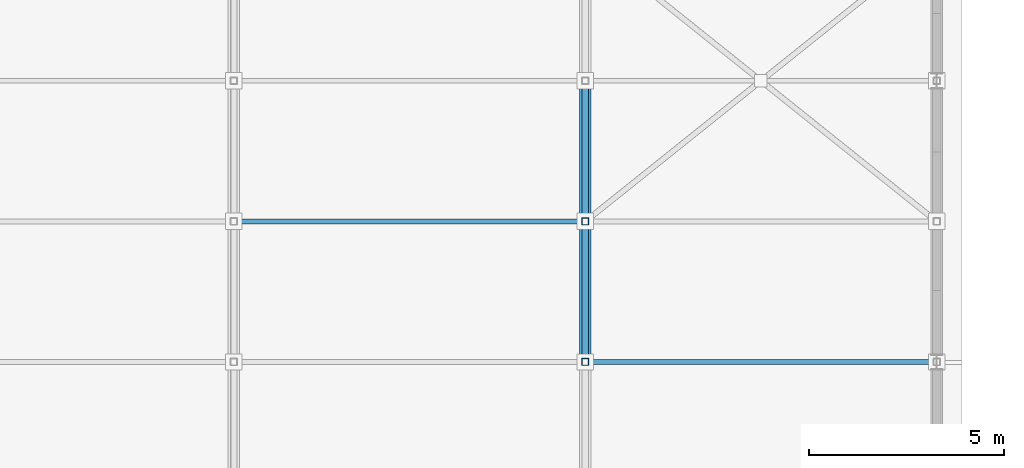
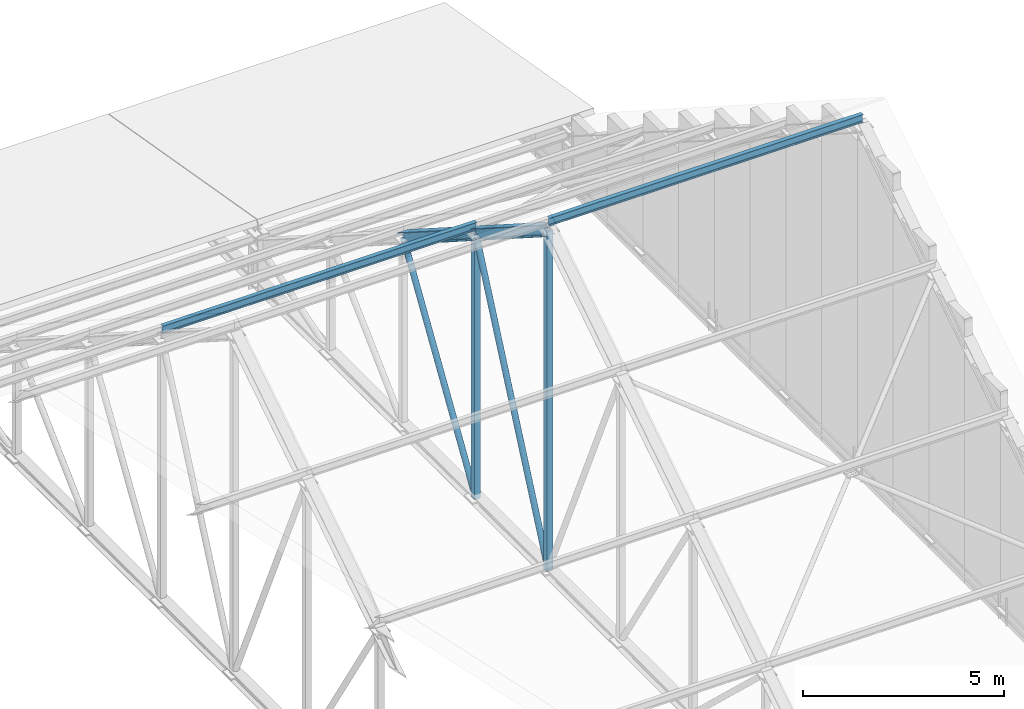
# One storey, part 117 of 182: 8 members.
"""IFC4 building model written with IfcOpenShell, lengths in metres."""

from ifc_helpers import new_model, si_unit, direction, frame, origin, origin_2d, place, context, subcontext, project, spatial, hollow_rectangle, hollow_circle, i_section, extrude, material, material_profile, profile_set, type_object, element, save


model = new_model("IFC4")

# Units and contexts
model_context = context("Model", 3, precision=1e-05, world=origin(), true_north=direction((0.0, 1.0)))
body_context = subcontext(model_context, "Body", "Model", "MODEL_VIEW")
ifc_project = project(units=[si_unit("LENGTHUNIT", "METRE"), si_unit("AREAUNIT", "SQUARE_METRE"), si_unit("VOLUMEUNIT", "CUBIC_METRE"), si_unit("PLANEANGLEUNIT", "RADIAN"), si_unit("MASSUNIT", "GRAM", prefix="KILO")], contexts=[model_context])

# Site, building, storey
site_placement = place(None, origin())
site = spatial("IfcSite", under=ifc_project, at=site_placement, CompositionType="ELEMENT")
building_placement = place(site_placement, origin())
building = spatial("IfcBuilding", under=site, at=building_placement, Name="Chiffa Square Polytechnic", CompositionType="ELEMENT")
storey_placement = place(building_placement, frame((0.0, 0.0, 9.60009765625)))
storey = spatial("IfcBuildingStorey", under=building, at=storey_placement, Name="L02", CompositionType="ELEMENT", Elevation=9.60009765625)

# Members
ifc_material = material(Name="Steel S355", Category="steel")
ifc_material_profile_1 = material_profile(ifc_material, i_section(OverallWidth=0.300048828125, OverallDepth=0.31005859375, WebThickness=0.009033203125, FlangeThickness=0.015380859375, FilletRadius=0.027099609375, at=origin_2d()), Name="HEA 320")
ifc_profile_set_1 = profile_set([ifc_material_profile_1], Name="Steel S355")
member_type_1 = type_object("IfcMemberType", Name="MEM-CHORD-HEA320", PredefinedType="CHORD", material=ifc_profile_set_1)
member_1_placement = place(storey_placement, frame((166.199951171875, 72.60009765625, 10.64990234375), z_axis=(0.0, 0.842681134223, -0.538412951205), x_axis=(-1.0, 0.0, 0.0)))
element("IfcMember", 1, at=member_1_placement, inside=storey, type_object=member_type_1, Name="Workshop roof truss top chord TCT-V2-07-05", PredefinedType="CHORD", context=body_context, shape_type="SweptSolid", body=[
    extrude(i_section(OverallWidth=0.300048828125, OverallDepth=0.31005859375, WebThickness=0.009033203125, FlangeThickness=0.015380859375, FilletRadius=0.027099609375, at=origin_2d()), origin(), (0.0, 0.0, 1.0), 4.27197265625),
])
member_2_placement = place(storey_placement, frame((166.199951171875, 76.199951171875, 8.349853515625), z_axis=(0.0, 0.84269770024, -0.538387022512), x_axis=(-1.0, 0.0, 0.0)))
element("IfcMember", 2, at=member_2_placement, inside=storey, type_object=member_type_1, Name="Workshop roof truss top chord TCT-V2-07-06", PredefinedType="CHORD", context=body_context, shape_type="SweptSolid", body=[
    extrude(i_section(OverallWidth=0.300048828125, OverallDepth=0.31005859375, WebThickness=0.009033203125, FlangeThickness=0.015380859375, FilletRadius=0.027099609375, at=origin_2d()), origin(), (0.0, 0.0, 1.0), 4.272216796875),
])
ifc_material_profile_2 = material_profile(ifc_material, i_section(OverallWidth=0.1201171875, OverallDepth=0.239990234375, WebThickness=0.006103515625, FlangeThickness=0.009765625, FilletRadius=0.014892578125, at=origin_2d()), Name="IPE 240")
ifc_profile_set_2 = profile_set([ifc_material_profile_2], Name="Steel S355")
member_type_2 = type_object("IfcMemberType", Name="MEM-PUR-IPE240", PredefinedType="PURLIN", material=ifc_profile_set_2)
for number, where, z_axis, x_axis, name in (
    (3, (157.199951171875, 76.199951171875, 8.599853515625), (1.0, 0.0, 0.0), (0.0, 1.0, 0.0), "Workshop steel roof purlin PU-V2-06-06"),
    (4, (166.199951171875, 72.60009765625, 10.89990234375), (1.0, 0.0, 0.0), (0.0, 1.0, 0.0), "Workshop steel roof purlin PU-V2-07-05"),
):
    element("IfcMember", number, at=place(storey_placement, frame(where, z_axis=z_axis, x_axis=x_axis)), inside=storey, type_object=member_type_2, Name=name, PredefinedType="PURLIN", context=body_context, shape_type="SweptSolid", body=[
        extrude(i_section(OverallWidth=0.1201171875, OverallDepth=0.239990234375, WebThickness=0.006103515625, FlangeThickness=0.009765625, FilletRadius=0.014892578125, at=origin_2d()), origin(), (0.0, 0.0, 1.0), 9.0),
    ])
ifc_material_profile_3 = material_profile(ifc_material, hollow_circle(Radius=0.084228515625, WallThickness=0.010009765625, at=origin_2d()), Name="CHS 168.3x10")
ifc_profile_set_3 = profile_set([ifc_material_profile_3], Name="Steel S355")
member_type_3 = type_object("IfcMemberType", Name="MEM-WEB-CHS168", PredefinedType="MEMBER", material=ifc_profile_set_3)
member_3_placement = place(storey_placement, frame((166.199951171875, 72.60009765625, 0.349853515625), z_axis=(0.0, 0.410350791297, 0.911927753762), x_axis=(-1.0, 0.0, 0.0)))
element("IfcMember", 5, at=member_3_placement, inside=storey, type_object=member_type_3, Name="Workshop roof truss diagonal TWD-V2-07-05", PredefinedType="MEMBER", context=body_context, shape_type="SweptSolid", body=[
    extrude(hollow_circle(Radius=0.084228515625, WallThickness=0.010009765625, at=origin_2d()), origin(), (0.0, 0.0, 1.0), 8.772705078125),
])
member_4_placement = place(storey_placement, frame((166.199951171875, 76.199951171875, 0.349853515625), z_axis=(0.0, 0.53400661626, 0.845480297695), x_axis=(-1.0, 0.0, 0.0)))
element("IfcMember", 6, at=member_4_placement, inside=storey, type_object=member_type_3, Name="Workshop roof truss diagonal TWD-V2-07-06", PredefinedType="MEMBER", context=body_context, shape_type="SweptSolid", body=[
    extrude(hollow_circle(Radius=0.084228515625, WallThickness=0.010009765625, at=origin_2d()), origin(), (0.0, 0.0, 1.0), 6.74169921875),
])
ifc_material_profile_4 = material_profile(ifc_material, hollow_rectangle(XDim=0.179931640625, YDim=0.179931640625, WallThickness=0.010009765625, at=origin_2d()), Name="RHS 180x180x10")
ifc_profile_set_4 = profile_set([ifc_material_profile_4], Name="Steel S355")
member_type_4 = type_object("IfcMemberType", Name="MEM-WEB-RHS180", PredefinedType="MEMBER", material=ifc_profile_set_4)
member_5_placement = place(storey_placement, frame((166.199951171875, 72.60009765625, 0.349853515625), z_axis=(0.0, 0.0, 1.0), x_axis=(1.0, 0.0, 0.0)))
element("IfcMember", 7, at=member_5_placement, inside=storey, type_object=member_type_4, Name="Workshop roof truss vertical TWV-V2-07-05", PredefinedType="MEMBER", context=body_context, shape_type="SweptSolid", body=[
    extrude(hollow_rectangle(XDim=0.179931640625, YDim=0.179931640625, WallThickness=0.010009765625, at=origin_2d()), origin(), (0.0, 0.0, 1.0), 10.300048828125),
])
member_6_placement = place(storey_placement, frame((166.199951171875, 76.199951171875, 0.349853515625), z_axis=(0.0, 0.0, 1.0), x_axis=(1.0, 0.0, 0.0)))
element("IfcMember", 8, at=member_6_placement, inside=storey, type_object=member_type_4, Name="Workshop roof truss vertical TWV-V2-07-06", PredefinedType="MEMBER", context=body_context, shape_type="SweptSolid", body=[
    extrude(hollow_rectangle(XDim=0.179931640625, YDim=0.179931640625, WallThickness=0.010009765625, at=origin_2d()), origin(), (0.0, 0.0, 1.0), 8.0),
])

save(model, "model.ifc")
